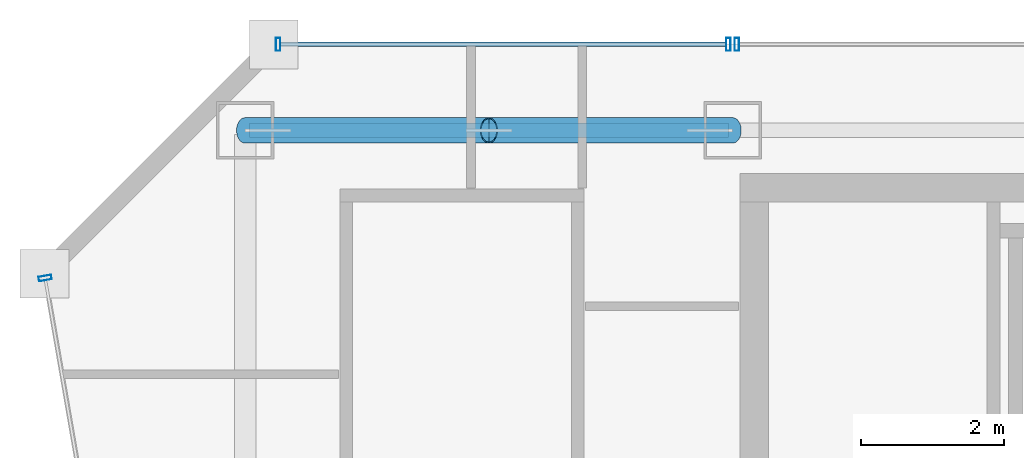
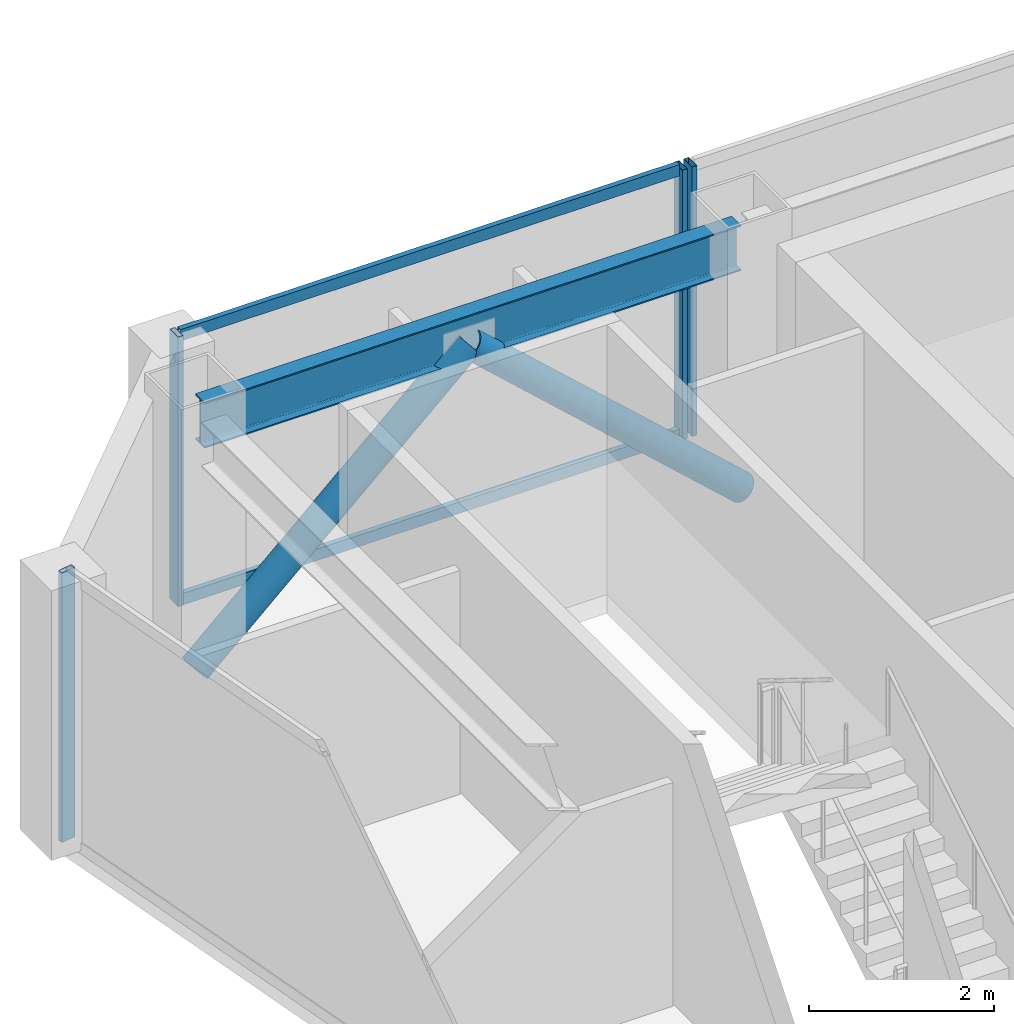
# One storey, part 19 of 32: 8 members, 1 beam, 3 elements without a shape of their own.
"""IFC4 building model written with IfcOpenShell, lengths in metres."""

from ifc_helpers import new_model, si_unit, direction, frame, origin, origin_2d, place, context, subcontext, project, spatial, hollow_rectangle, hollow_circle, i_section, extrude, material, material_profile, profile_set, type_object, element, aggregate, save


model = new_model("IFC4")

# Units and contexts
model_context = context("Model", 3, precision=1e-05, world=origin(), true_north=direction((0.0, 1.0)))
body_context = subcontext(model_context, "Body", "Model", "MODEL_VIEW")
ifc_project = project(units=[si_unit("LENGTHUNIT", "METRE"), si_unit("AREAUNIT", "SQUARE_METRE"), si_unit("VOLUMEUNIT", "CUBIC_METRE"), si_unit("PLANEANGLEUNIT", "RADIAN"), si_unit("MASSUNIT", "GRAM", prefix="KILO")], contexts=[model_context])

# Site, building, storey
site_placement = place(None, origin())
site = spatial("IfcSite", under=ifc_project, at=site_placement, CompositionType="ELEMENT")
building_placement = place(site_placement, origin())
building = spatial("IfcBuilding", under=site, at=building_placement, Name="Saevonmaru Cultural Tower", CompositionType="ELEMENT")
storey_placement = place(building_placement, frame((0.0, 0.0, 245.800048828125)))
storey = spatial("IfcBuildingStorey", under=building, at=storey_placement, Name="L57", CompositionType="ELEMENT", Elevation=245.800048828125)

# Beam
ifc_material_1 = material(Name="Steel SM355", Category="steel")
ifc_material_profile_1 = material_profile(ifc_material_1, i_section(OverallWidth=0.199951171875, OverallDepth=0.60009765625, WebThickness=0.010986328125, FlangeThickness=0.01708984375, FilletRadius=0.02197265625, at=origin_2d()), Name="H-600x200x11x17")
ifc_profile_set_1 = profile_set([ifc_material_profile_1], Name="Steel SM355")
beam_type = type_object("IfcBeamType", Name="BM-SP-H600", PredefinedType="SPANDREL", material=ifc_profile_set_1)
beam_placement = place(storey_placement, frame((6.860107421875, 54.800048828125, 3.25), z_axis=(1.0, 0.0, 0.0), x_axis=(0.0, 1.0, 0.0)))
element("IfcBeam", 1, at=beam_placement, inside=storey, type_object=beam_type, Name="L57 North Spine Girder 1", PredefinedType="SPANDREL", context=body_context, shape_type="SweptSolid", body=[
    extrude(i_section(OverallWidth=0.199951171875, OverallDepth=0.60009765625, WebThickness=0.010986328125, FlangeThickness=0.01708984375, FilletRadius=0.02197265625, at=origin_2d()), origin(), (0.0, 0.0, 1.0), 6.679931640625),
])

# Members
ifc_material_profile_2 = material_profile(ifc_material_1, hollow_circle(Radius=0.177734375, WallThickness=0.01611328125, at=origin_2d()), Name="CHS-355.6x16")
ifc_profile_set_2 = profile_set([ifc_material_profile_2], Name="Steel SM355")
member_type_1 = type_object("IfcMemberType", Name="MB-PBR-CHS356", PredefinedType="BRACE", material=ifc_profile_set_2)
member_1_placement = place(storey_placement, frame((6.800048828125, 54.800048828125, 0.02001953125), z_axis=(0.738962060105, 0.0, 0.673747039864), x_axis=(0.0, 1.0, 0.0)))
element("IfcMember", 2, at=member_1_placement, inside=storey, type_object=member_type_1, Name="L57 Perimeter Braced-Tube Diagonal WN1", PredefinedType="BRACE", context=body_context, shape_type="SweptSolid", body=[
    extrude(hollow_circle(Radius=0.177734375, WallThickness=0.01611328125, at=origin_2d()), origin(), (0.0, 0.0, 1.0), 4.600830078125),
])
member_2_placement = place(storey_placement, frame((13.60009765625, 54.800048828125, 0.02001953125), z_axis=(-0.738986146064, 0.0, 0.673720621568), x_axis=(0.0, -1.0, 0.0)))
element("IfcMember", 3, at=member_2_placement, inside=storey, type_object=member_type_1, Name="L57 Perimeter Braced-Tube Diagonal WN2", PredefinedType="BRACE", context=body_context, shape_type="SweptSolid", body=[
    extrude(hollow_circle(Radius=0.177734375, WallThickness=0.01611328125, at=origin_2d()), origin(), (0.0, 0.0, 1.0), 4.60107421875),
])

# Curtain wall, member
ifc_material_2 = material(Name="Satin Bronze Anodised Aluminium", Category="aluminium")
curtain_wall_type = type_object("IfcCurtainWallType", Name="CW-TYP-B", PredefinedType="NOTDEFINED", material=ifc_material_2)
curtain_wall_1_placement = place(storey_placement, origin())
curtain_wall_1 = element("IfcCurtainWall", 4, at=curtain_wall_1_placement, inside=storey, type_object=curtain_wall_type, Name="L57 North Spine Unitised Curtain Wall E10B", PredefinedType="NOTDEFINED")
ifc_material_profile_3 = material_profile(ifc_material_2, hollow_rectangle(XDim=0.06494140625, YDim=0.179931640625, WallThickness=0.00390625, at=origin_2d()), Name="ALU-MULL-180x65x4")
ifc_profile_set_3 = profile_set([ifc_material_profile_3], Name="Satin Bronze Anodised Aluminium")
member_type_2 = type_object("IfcMemberType", Name="ML-CW-180x65", PredefinedType="MULLION", material=ifc_profile_set_3)
member_3_placement = place(storey_placement, frame((13.659912109375, 56.0, 0.0), z_axis=(0.0, 0.0, 1.0), x_axis=(-1.0, 0.0, 0.0)))
member_3 = element("IfcMember", 5, at=member_3_placement, type_object=member_type_2, Name="CW-TW-L57-E10B mullion 4", PredefinedType="MULLION", context=body_context, shape_type="SweptSolid", body=[
    extrude(hollow_rectangle(XDim=0.06494140625, YDim=0.179931640625, WallThickness=0.00390625, at=origin_2d()), origin(), (0.0, 0.0, 1.0), 3.550048828125),
])
aggregate(curtain_wall_1, [member_3])

# Curtain wall, members
curtain_wall_2_placement = place(storey_placement, origin())
curtain_wall_2 = element("IfcCurtainWall", 6, at=curtain_wall_2_placement, inside=storey, type_object=curtain_wall_type, Name="L57 West Braced Bay Spandrel Curtain Wall E10C", PredefinedType="NOTDEFINED")
member_4_placement = place(storey_placement, frame((13.5400390625, 56.0, 0.0), z_axis=(0.0, 0.0, 1.0), x_axis=(-1.0, 0.0, 0.0)))
member_4 = element("IfcMember", 7, at=member_4_placement, type_object=member_type_2, Name="CW-TW-L57-E10C mullion 1", PredefinedType="MULLION", context=body_context, shape_type="SweptSolid", body=[
    extrude(hollow_rectangle(XDim=0.06494140625, YDim=0.179931640625, WallThickness=0.00390625, at=origin_2d()), origin(), (0.0, 0.0, 1.0), 3.550048828125),
])
member_5_placement = place(storey_placement, frame((7.260009765625, 56.0, 0.0), z_axis=(0.0, 0.0, 1.0), x_axis=(-1.0, 0.0, 0.0)))
member_5 = element("IfcMember", 8, at=member_5_placement, type_object=member_type_2, Name="CW-TW-L57-E10C mullion 2", PredefinedType="MULLION", context=body_context, shape_type="SweptSolid", body=[
    extrude(hollow_rectangle(XDim=0.06494140625, YDim=0.179931640625, WallThickness=0.00390625, at=origin_2d()), origin(), (0.0, 0.0, 1.0), 3.550048828125),
])

# Curtain wall, member
curtain_wall_3_placement = place(storey_placement, origin())
curtain_wall_3 = element("IfcCurtainWall", 9, at=curtain_wall_3_placement, inside=storey, type_object=curtain_wall_type, Name="L57 Unitised Curtain Wall E12", PredefinedType="NOTDEFINED")
member_6_placement = place(storey_placement, frame((4.01025390625, 52.740966796875, 0.0), z_axis=(0.0, 0.0, 1.0), x_axis=(0.170790369887, -0.985307388359, 0.0)))
member_6 = element("IfcMember", 10, at=member_6_placement, type_object=member_type_2, Name="CW-TW-L57-E12 mullion 1", PredefinedType="MULLION", context=body_context, shape_type="SweptSolid", body=[
    extrude(hollow_rectangle(XDim=0.06494140625, YDim=0.179931640625, WallThickness=0.00390625, at=origin_2d()), origin(), (0.0, 0.0, 1.0), 3.550048828125),
])
aggregate(curtain_wall_3, [member_6])

# Member
ifc_material_profile_4 = material_profile(ifc_material_2, hollow_rectangle(XDim=0.06494140625, YDim=0.14990234375, WallThickness=0.00390625, at=origin_2d()), Name="ALU-TRAN-150x65x4")
ifc_profile_set_4 = profile_set([ifc_material_profile_4], Name="Satin Bronze Anodised Aluminium")
member_type_3 = type_object("IfcMemberType", Name="TR-CW-150x65", PredefinedType="USERDEFINED", material=ifc_profile_set_4)
member_7_placement = place(storey_placement, frame((13.507568359375, 56.0, 0.032470703125), z_axis=(-1.0, 0.0, 0.0), x_axis=(0.0, -1.0, 0.0)))
member_7 = element("IfcMember", 11, at=member_7_placement, type_object=member_type_3, Name="CW-TW-L57-E10C transom 1.1", ObjectType="TRANSOM", PredefinedType="USERDEFINED", context=body_context, shape_type="SweptSolid", body=[
    extrude(hollow_rectangle(XDim=0.06494140625, YDim=0.14990234375, WallThickness=0.00390625, at=origin_2d()), origin(), (0.0, 0.0, 1.0), 6.215087890625),
])

member_8_placement = place(storey_placement, frame((13.507568359375, 56.0, 3.517333984375), z_axis=(-1.0, 0.0, 0.0), x_axis=(0.0, -1.0, 0.0)))
member_8 = element("IfcMember", 12, at=member_8_placement, type_object=member_type_3, Name="CW-TW-L57-E10C transom 1.2", ObjectType="TRANSOM", PredefinedType="USERDEFINED", context=body_context, shape_type="SweptSolid", body=[
    extrude(hollow_rectangle(XDim=0.06494140625, YDim=0.14990234375, WallThickness=0.00390625, at=origin_2d()), origin(), (0.0, 0.0, 1.0), 6.215087890625),
])

aggregate(curtain_wall_2, [member_4, member_5, member_7, member_8])

save(model, "model.ifc")
